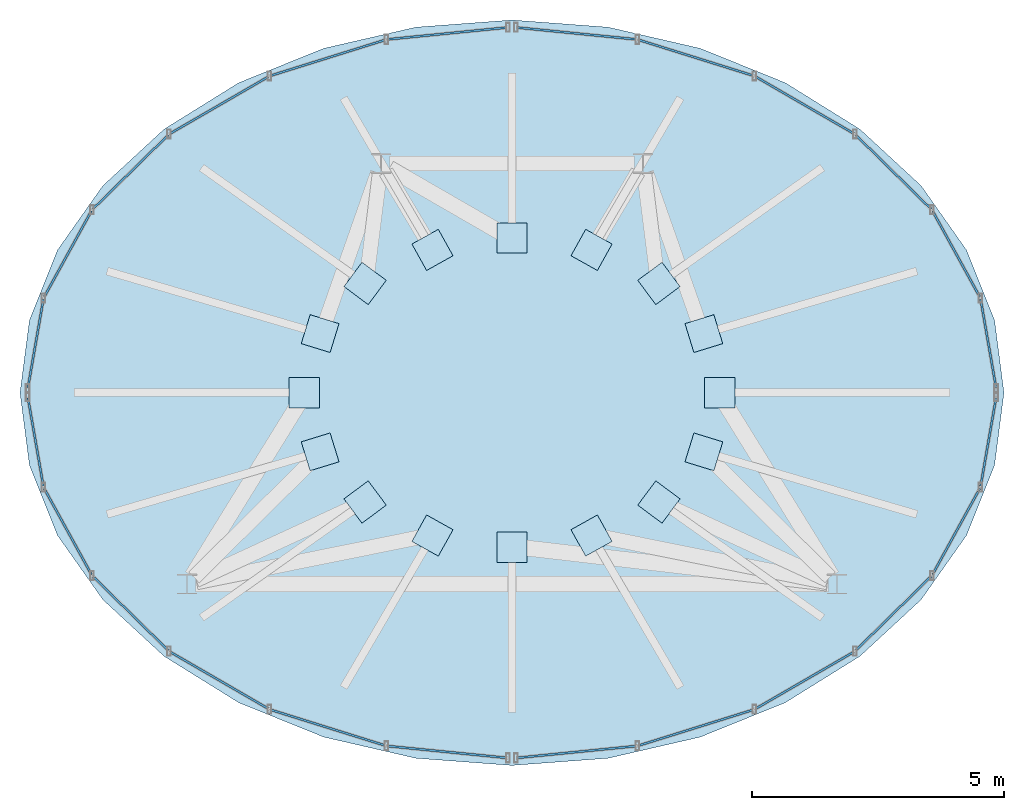
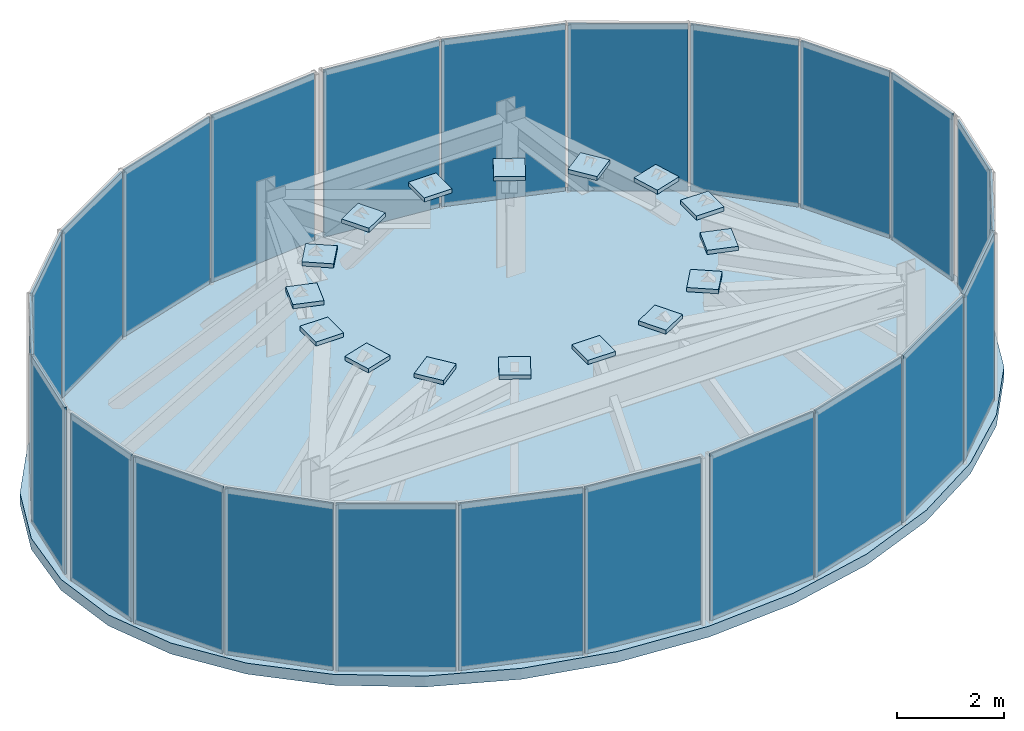
# One storey, part 8 of 8: 40 plates, 1 slab, 4 elements without a shape of their own.
"""IFC4 building model written with IfcOpenShell, lengths in metres."""

from ifc_helpers import new_model, si_unit, direction, frame, origin, origin_2d, place, context, subcontext, project, spatial, polyline, rectangle, outline, extrude, material, layer, layer_set, type_object, element, aggregate, save


model = new_model("IFC4")

# Units and contexts
model_context = context("Model", 3, precision=1e-05, world=origin(), true_north=direction((0.0, 1.0)))
body_context = subcontext(model_context, "Body", "Model", "MODEL_VIEW")
ifc_project = project(units=[si_unit("LENGTHUNIT", "METRE"), si_unit("AREAUNIT", "SQUARE_METRE"), si_unit("VOLUMEUNIT", "CUBIC_METRE"), si_unit("PLANEANGLEUNIT", "RADIAN"), si_unit("MASSUNIT", "GRAM", prefix="KILO")], contexts=[model_context])

# Site, building, storey
site_placement = place(None, origin())
site = spatial("IfcSite", under=ifc_project, at=site_placement, CompositionType="ELEMENT")
building_placement = place(site_placement, origin())
building = spatial("IfcBuilding", under=site, at=building_placement, Name="Vorneva Point Tower", CompositionType="ELEMENT")
storey_placement = place(building_placement, frame((0.0, 0.0, 310.60009765625)))
storey = spatial("IfcBuildingStorey", under=building, at=storey_placement, Name="C05", CompositionType="ELEMENT", Elevation=310.60009765625)

# Curtain wall, plates
ifc_material_1 = material(Name="Pale anodised aluminium", Category="aluminium")
curtain_wall_type = type_object("IfcCurtainWallType", Name="CW-CRN-SYS", PredefinedType="NOTDEFINED", material=ifc_material_1)
curtain_wall_1_placement = place(storey_placement, origin())
curtain_wall_1 = element("IfcCurtainWall", 1, at=curtain_wall_1_placement, inside=storey, type_object=curtain_wall_type, Name="C05 Unitised Curtain Wall CW-C05-Q1", PredefinedType="NOTDEFINED")
ifc_material_2 = material(Name="Triple-laminated clear crown glass", Category="glass")
ifc_layer_1 = layer(ifc_material_2, 0.0419921875)
ifc_layer_set_1 = layer_set([ifc_layer_1], Name="Triple-laminated clear crown glass")
plate_type_1 = type_object("IfcPlateType", Name="CW-PNL-CRN", PredefinedType="CURTAIN_PANEL", material=ifc_layer_set_1)
plate_1_placement = place(storey_placement, frame((47.45703125, 26.97900390625, -0.02001953125), z_axis=(0.0, 0.0, 1.0), x_axis=(-0.171997873465, 0.985097320839, 0.0)))
plate_1 = element("IfcPlate", 2, at=plate_1_placement, type_object=plate_type_1, Name="CW-C05-Q1 Glazed Panel 01", PredefinedType="CURTAIN_PANEL", context=body_context, shape_type="SweptSolid", body=[
    extrude(rectangle(XDim=1.77734375, YDim=0.0419921875, at=origin_2d()), origin(), (0.0, 0.0, 1.0), 3.840087890625),
])
plate_2_placement = place(storey_placement, frame((46.819091796875, 28.75439453125, -0.02001953125), z_axis=(0.0, 0.0, 1.0), x_axis=(-0.481432458577, 0.876483193124, 0.0)))
plate_2 = element("IfcPlate", 3, at=plate_2_placement, type_object=plate_type_1, Name="CW-C05-Q1 Glazed Panel 02", PredefinedType="CURTAIN_PANEL", context=body_context, shape_type="SweptSolid", body=[
    extrude(rectangle(XDim=1.94775390625, YDim=0.0419921875, at=origin_2d()), origin(), (0.0, 0.0, 1.0), 3.840087890625),
])
plate_3_placement = place(storey_placement, frame((45.572998046875, 30.3818359375, -0.02001953125), z_axis=(0.0, 0.0, 1.0), x_axis=(-0.713250449154, 0.7009092643, 0.0)))
plate_3 = element("IfcPlate", 4, at=plate_3_placement, type_object=plate_type_1, Name="CW-C05-Q1 Glazed Panel 03", PredefinedType="CURTAIN_PANEL", context=body_context, shape_type="SweptSolid", body=[
    extrude(rectangle(XDim=2.09521484375, YDim=0.0419921875, at=origin_2d()), origin(), (0.0, 0.0, 1.0), 3.840087890625),
])
plate_4_placement = place(storey_placement, frame((43.81103515625, 31.71044921875, -0.02001953125), z_axis=(0.0, 0.0, 1.0), x_axis=(-0.865562521083, 0.500800880687, 0.0)))
plate_4 = element("IfcPlate", 5, at=plate_4_placement, type_object=plate_type_1, Name="CW-C05-Q1 Glazed Panel 04", PredefinedType="CURTAIN_PANEL", context=body_context, shape_type="SweptSolid", body=[
    extrude(rectangle(XDim=2.253662109375, YDim=0.0419921875, at=origin_2d()), origin(), (0.0, 0.0, 1.0), 3.840087890625),
])
plate_5_placement = place(storey_placement, frame((41.653076171875, 32.64990234375, -0.02001953125), z_axis=(0.0, 0.0, 1.0), x_axis=(-0.954521743973, 0.298141309254, 0.0)))
plate_5 = element("IfcPlate", 6, at=plate_5_placement, type_object=plate_type_1, Name="CW-C05-Q1 Glazed Panel 05", PredefinedType="CURTAIN_PANEL", context=body_context, shape_type="SweptSolid", body=[
    extrude(rectangle(XDim=2.3828125, YDim=0.0419921875, at=origin_2d()), origin(), (0.0, 0.0, 1.0), 3.840087890625),
])
plate_6_placement = place(storey_placement, frame((39.285888671875, 33.13232421875, -0.02001953125), z_axis=(0.0, 0.0, 1.0), x_axis=(-0.995107437258, 0.098798726275, 0.0)))
plate_6 = element("IfcPlate", 7, at=plate_6_placement, type_object=plate_type_1, Name="CW-C05-Q1 Glazed Panel 06", PredefinedType="CURTAIN_PANEL", context=body_context, shape_type="SweptSolid", body=[
    extrude(rectangle(XDim=2.374267578125, YDim=0.0419921875, at=origin_2d()), origin(), (0.0, 0.0, 1.0), 3.840087890625),
])
aggregate(curtain_wall_1, [plate_1, plate_2, plate_3, plate_4, plate_5, plate_6])

curtain_wall_2_placement = place(storey_placement, origin())
curtain_wall_2 = element("IfcCurtainWall", 8, at=curtain_wall_2_placement, inside=storey, type_object=curtain_wall_type, Name="C05 Unitised Curtain Wall CW-C05-Q2", PredefinedType="NOTDEFINED")
plate_7_placement = place(storey_placement, frame((36.714111328125, 33.13232421875, -0.02001953125), z_axis=(0.0, 0.0, 1.0), x_axis=(-0.995107437258, -0.098798726275, 0.0)))
plate_7 = element("IfcPlate", 9, at=plate_7_placement, type_object=plate_type_1, Name="CW-C05-Q2 Glazed Panel 01", PredefinedType="CURTAIN_PANEL", context=body_context, shape_type="SweptSolid", body=[
    extrude(rectangle(XDim=2.374267578125, YDim=0.0419921875, at=origin_2d()), origin(), (0.0, 0.0, 1.0), 3.840087890625),
])
plate_8_placement = place(storey_placement, frame((34.346923828125, 32.64990234375, -0.02001953125), z_axis=(0.0, 0.0, 1.0), x_axis=(-0.954521743973, -0.298141309254, 0.0)))
plate_8 = element("IfcPlate", 10, at=plate_8_placement, type_object=plate_type_1, Name="CW-C05-Q2 Glazed Panel 02", PredefinedType="CURTAIN_PANEL", context=body_context, shape_type="SweptSolid", body=[
    extrude(rectangle(XDim=2.3828125, YDim=0.0419921875, at=origin_2d()), origin(), (0.0, 0.0, 1.0), 3.840087890625),
])
plate_9_placement = place(storey_placement, frame((32.18896484375, 31.71044921875, -0.02001953125), z_axis=(0.0, 0.0, 1.0), x_axis=(-0.865562521083, -0.500800880687, 0.0)))
plate_9 = element("IfcPlate", 11, at=plate_9_placement, type_object=plate_type_1, Name="CW-C05-Q2 Glazed Panel 03", PredefinedType="CURTAIN_PANEL", context=body_context, shape_type="SweptSolid", body=[
    extrude(rectangle(XDim=2.253662109375, YDim=0.0419921875, at=origin_2d()), origin(), (0.0, 0.0, 1.0), 3.840087890625),
])
plate_10_placement = place(storey_placement, frame((30.427001953125, 30.3818359375, -0.02001953125), z_axis=(0.0, 0.0, 1.0), x_axis=(-0.713250449154, -0.7009092643, 0.0)))
plate_10 = element("IfcPlate", 12, at=plate_10_placement, type_object=plate_type_1, Name="CW-C05-Q2 Glazed Panel 04", PredefinedType="CURTAIN_PANEL", context=body_context, shape_type="SweptSolid", body=[
    extrude(rectangle(XDim=2.09521484375, YDim=0.0419921875, at=origin_2d()), origin(), (0.0, 0.0, 1.0), 3.840087890625),
])
plate_11_placement = place(storey_placement, frame((29.180908203125, 28.75439453125, -0.02001953125), z_axis=(0.0, 0.0, 1.0), x_axis=(-0.481432458577, -0.876483193124, 0.0)))
plate_11 = element("IfcPlate", 13, at=plate_11_placement, type_object=plate_type_1, Name="CW-C05-Q2 Glazed Panel 05", PredefinedType="CURTAIN_PANEL", context=body_context, shape_type="SweptSolid", body=[
    extrude(rectangle(XDim=1.94775390625, YDim=0.0419921875, at=origin_2d()), origin(), (0.0, 0.0, 1.0), 3.840087890625),
])
plate_12_placement = place(storey_placement, frame((28.54296875, 26.97900390625, -0.02001953125), z_axis=(0.0, 0.0, 1.0), x_axis=(-0.171997873465, -0.985097320839, 0.0)))
plate_12 = element("IfcPlate", 14, at=plate_12_placement, type_object=plate_type_1, Name="CW-C05-Q2 Glazed Panel 06", PredefinedType="CURTAIN_PANEL", context=body_context, shape_type="SweptSolid", body=[
    extrude(rectangle(XDim=1.77734375, YDim=0.0419921875, at=origin_2d()), origin(), (0.0, 0.0, 1.0), 3.840087890625),
])
aggregate(curtain_wall_2, [plate_7, plate_8, plate_9, plate_10, plate_11, plate_12])

curtain_wall_3_placement = place(storey_placement, origin())
curtain_wall_3 = element("IfcCurtainWall", 15, at=curtain_wall_3_placement, inside=storey, type_object=curtain_wall_type, Name="C05 Unitised Curtain Wall CW-C05-Q3", PredefinedType="NOTDEFINED")
plate_13_placement = place(storey_placement, frame((28.54296875, 25.02099609375, -0.02001953125), z_axis=(0.0, 0.0, 1.0), x_axis=(0.171997873465, -0.985097320839, 0.0)))
plate_13 = element("IfcPlate", 16, at=plate_13_placement, type_object=plate_type_1, Name="CW-C05-Q3 Glazed Panel 01", PredefinedType="CURTAIN_PANEL", context=body_context, shape_type="SweptSolid", body=[
    extrude(rectangle(XDim=1.77734375, YDim=0.0419921875, at=origin_2d()), origin(), (0.0, 0.0, 1.0), 3.840087890625),
])
plate_14_placement = place(storey_placement, frame((29.180908203125, 23.24560546875, -0.02001953125), z_axis=(0.0, 0.0, 1.0), x_axis=(0.481432458577, -0.876483193124, 0.0)))
plate_14 = element("IfcPlate", 17, at=plate_14_placement, type_object=plate_type_1, Name="CW-C05-Q3 Glazed Panel 02", PredefinedType="CURTAIN_PANEL", context=body_context, shape_type="SweptSolid", body=[
    extrude(rectangle(XDim=1.94775390625, YDim=0.0419921875, at=origin_2d()), origin(), (0.0, 0.0, 1.0), 3.840087890625),
])
plate_15_placement = place(storey_placement, frame((30.427001953125, 21.6181640625, -0.02001953125), z_axis=(0.0, 0.0, 1.0), x_axis=(0.713250449154, -0.7009092643, 0.0)))
plate_15 = element("IfcPlate", 18, at=plate_15_placement, type_object=plate_type_1, Name="CW-C05-Q3 Glazed Panel 03", PredefinedType="CURTAIN_PANEL", context=body_context, shape_type="SweptSolid", body=[
    extrude(rectangle(XDim=2.09521484375, YDim=0.0419921875, at=origin_2d()), origin(), (0.0, 0.0, 1.0), 3.840087890625),
])
plate_16_placement = place(storey_placement, frame((32.18896484375, 20.28955078125, -0.02001953125), z_axis=(0.0, 0.0, 1.0), x_axis=(0.865562521083, -0.500800880687, 0.0)))
plate_16 = element("IfcPlate", 19, at=plate_16_placement, type_object=plate_type_1, Name="CW-C05-Q3 Glazed Panel 04", PredefinedType="CURTAIN_PANEL", context=body_context, shape_type="SweptSolid", body=[
    extrude(rectangle(XDim=2.253662109375, YDim=0.0419921875, at=origin_2d()), origin(), (0.0, 0.0, 1.0), 3.840087890625),
])
plate_17_placement = place(storey_placement, frame((34.346923828125, 19.35009765625, -0.02001953125), z_axis=(0.0, 0.0, 1.0), x_axis=(0.954521743973, -0.298141309254, 0.0)))
plate_17 = element("IfcPlate", 20, at=plate_17_placement, type_object=plate_type_1, Name="CW-C05-Q3 Glazed Panel 05", PredefinedType="CURTAIN_PANEL", context=body_context, shape_type="SweptSolid", body=[
    extrude(rectangle(XDim=2.3828125, YDim=0.0419921875, at=origin_2d()), origin(), (0.0, 0.0, 1.0), 3.840087890625),
])
plate_18_placement = place(storey_placement, frame((36.714111328125, 18.86767578125, -0.02001953125), z_axis=(0.0, 0.0, 1.0), x_axis=(0.995107437258, -0.098798726275, 0.0)))
plate_18 = element("IfcPlate", 21, at=plate_18_placement, type_object=plate_type_1, Name="CW-C05-Q3 Glazed Panel 06", PredefinedType="CURTAIN_PANEL", context=body_context, shape_type="SweptSolid", body=[
    extrude(rectangle(XDim=2.374267578125, YDim=0.0419921875, at=origin_2d()), origin(), (0.0, 0.0, 1.0), 3.840087890625),
])
aggregate(curtain_wall_3, [plate_13, plate_14, plate_15, plate_16, plate_17, plate_18])

curtain_wall_4_placement = place(storey_placement, origin())
curtain_wall_4 = element("IfcCurtainWall", 22, at=curtain_wall_4_placement, inside=storey, type_object=curtain_wall_type, Name="C05 Unitised Curtain Wall CW-C05-Q4", PredefinedType="NOTDEFINED")
plate_19_placement = place(storey_placement, frame((39.285888671875, 18.86767578125, -0.02001953125), z_axis=(0.0, 0.0, 1.0), x_axis=(0.995107437258, 0.098798726275, 0.0)))
plate_19 = element("IfcPlate", 23, at=plate_19_placement, type_object=plate_type_1, Name="CW-C05-Q4 Glazed Panel 01", PredefinedType="CURTAIN_PANEL", context=body_context, shape_type="SweptSolid", body=[
    extrude(rectangle(XDim=2.374267578125, YDim=0.0419921875, at=origin_2d()), origin(), (0.0, 0.0, 1.0), 3.840087890625),
])
plate_20_placement = place(storey_placement, frame((41.653076171875, 19.35009765625, -0.02001953125), z_axis=(0.0, 0.0, 1.0), x_axis=(0.954521743973, 0.298141309254, 0.0)))
plate_20 = element("IfcPlate", 24, at=plate_20_placement, type_object=plate_type_1, Name="CW-C05-Q4 Glazed Panel 02", PredefinedType="CURTAIN_PANEL", context=body_context, shape_type="SweptSolid", body=[
    extrude(rectangle(XDim=2.3828125, YDim=0.0419921875, at=origin_2d()), origin(), (0.0, 0.0, 1.0), 3.840087890625),
])
plate_21_placement = place(storey_placement, frame((43.81103515625, 20.28955078125, -0.02001953125), z_axis=(0.0, 0.0, 1.0), x_axis=(0.865562521083, 0.500800880687, 0.0)))
plate_21 = element("IfcPlate", 25, at=plate_21_placement, type_object=plate_type_1, Name="CW-C05-Q4 Glazed Panel 03", PredefinedType="CURTAIN_PANEL", context=body_context, shape_type="SweptSolid", body=[
    extrude(rectangle(XDim=2.253662109375, YDim=0.0419921875, at=origin_2d()), origin(), (0.0, 0.0, 1.0), 3.840087890625),
])
plate_22_placement = place(storey_placement, frame((45.572998046875, 21.6181640625, -0.02001953125), z_axis=(0.0, 0.0, 1.0), x_axis=(0.713250449154, 0.7009092643, 0.0)))
plate_22 = element("IfcPlate", 26, at=plate_22_placement, type_object=plate_type_1, Name="CW-C05-Q4 Glazed Panel 04", PredefinedType="CURTAIN_PANEL", context=body_context, shape_type="SweptSolid", body=[
    extrude(rectangle(XDim=2.09521484375, YDim=0.0419921875, at=origin_2d()), origin(), (0.0, 0.0, 1.0), 3.840087890625),
])
plate_23_placement = place(storey_placement, frame((46.819091796875, 23.24560546875, -0.02001953125), z_axis=(0.0, 0.0, 1.0), x_axis=(0.481432458577, 0.876483193124, 0.0)))
plate_23 = element("IfcPlate", 27, at=plate_23_placement, type_object=plate_type_1, Name="CW-C05-Q4 Glazed Panel 05", PredefinedType="CURTAIN_PANEL", context=body_context, shape_type="SweptSolid", body=[
    extrude(rectangle(XDim=1.94775390625, YDim=0.0419921875, at=origin_2d()), origin(), (0.0, 0.0, 1.0), 3.840087890625),
])
plate_24_placement = place(storey_placement, frame((47.45703125, 25.02099609375, -0.02001953125), z_axis=(0.0, 0.0, 1.0), x_axis=(0.171997873465, 0.985097320839, 0.0)))
plate_24 = element("IfcPlate", 28, at=plate_24_placement, type_object=plate_type_1, Name="CW-C05-Q4 Glazed Panel 06", PredefinedType="CURTAIN_PANEL", context=body_context, shape_type="SweptSolid", body=[
    extrude(rectangle(XDim=1.77734375, YDim=0.0419921875, at=origin_2d()), origin(), (0.0, 0.0, 1.0), 3.840087890625),
])
aggregate(curtain_wall_4, [plate_19, plate_20, plate_21, plate_22, plate_23, plate_24])

# Plates
ifc_material_3 = material(Name="Steel S355", Category="steel")
ifc_layer_2 = layer(ifc_material_3, 0.02392578125)
ifc_layer_set_2 = layer_set([ifc_layer_2], Name="Steel S355")
plate_type_2 = type_object("IfcPlateType", Name="PLT-CAP-EXT", PredefinedType="USERDEFINED", material=ifc_layer_set_2)
for number, where, z_axis, x_axis, name in (
    (29, (42.123046875, 26.0, 3.65283203125), (0.0, 0.0, 1.0), (-1.0, 0.0, 0.0), "Crown Glass-Point Apex Rafter 01 end closure plate 1"),
    (30, (41.8095703125, 27.173828125, 3.65234375), (0.0, 0.0, 1.0), (-0.955659485127, -0.294474020055, 0.0), "Crown Glass-Point Apex Rafter 02 end closure plate 1"),
    (31, (40.91650390625, 28.169677734375, 3.6513671875), (0.0, 0.0, 1.0), (-0.802338536497, -0.596869225921, 0.0), "Crown Glass-Point Apex Rafter 03 end closure plate 1"),
    (32, (39.5791015625, 28.835693359375, 3.64990234375), (0.0, 0.0, 1.0), (-0.486487875037, -0.873687328191, 0.0), "Crown Glass-Point Apex Rafter 04 end closure plate 1"),
    (33, (38.0, 29.06982421875, 3.6494140625), (0.0, 0.0, 1.0), (0.0, -1.0, 0.0), "Crown Glass-Point Apex Rafter 05 end closure plate 1"),
    (34, (36.4208984375, 28.835693359375, 3.64990234375), (0.0, 0.0, 1.0), (0.486487875037, -0.873687328191, 0.0), "Crown Glass-Point Apex Rafter 06 end closure plate 1"),
    (35, (35.08349609375, 28.169677734375, 3.6513671875), (0.0, 0.0, 1.0), (0.802338536497, -0.596869225921, 0.0), "Crown Glass-Point Apex Rafter 07 end closure plate 1"),
    (36, (34.1904296875, 27.173828125, 3.65234375), (0.0, 0.0, 1.0), (0.955659485127, -0.294474020055, 0.0), "Crown Glass-Point Apex Rafter 08 end closure plate 1"),
    (37, (33.876953125, 26.0, 3.65283203125), (0.0, 0.0, 1.0), (1.0, 0.0, 0.0), "Crown Glass-Point Apex Rafter 09 end closure plate 1"),
    (38, (34.1904296875, 24.826171875, 3.65234375), (0.0, 0.0, 1.0), (0.955659485127, 0.294474020055, 0.0), "Crown Glass-Point Apex Rafter 10 end closure plate 1"),
    (39, (35.08349609375, 23.830322265625, 3.6513671875), (0.0, 0.0, 1.0), (0.802338536497, 0.596869225921, 0.0), "Crown Glass-Point Apex Rafter 11 end closure plate 1"),
    (40, (36.4208984375, 23.164306640625, 3.64990234375), (0.0, 0.0, 1.0), (0.486487875037, 0.873687328191, 0.0), "Crown Glass-Point Apex Rafter 12 end closure plate 1"),
    (41, (38.0, 22.93017578125, 3.6494140625), (0.0, 0.0, 1.0), (0.0, 1.0, 0.0), "Crown Glass-Point Apex Rafter 13 end closure plate 1"),
    (42, (39.5791015625, 23.164306640625, 3.64990234375), (0.0, 0.0, 1.0), (-0.486487875037, 0.873687328191, 0.0), "Crown Glass-Point Apex Rafter 14 end closure plate 1"),
    (43, (40.91650390625, 23.830322265625, 3.6513671875), (0.0, 0.0, 1.0), (-0.802338536497, 0.596869225921, 0.0), "Crown Glass-Point Apex Rafter 15 end closure plate 1"),
    (44, (41.8095703125, 24.826171875, 3.65234375), (0.0, 0.0, 1.0), (-0.955659485127, 0.294474020055, 0.0), "Crown Glass-Point Apex Rafter 16 end closure plate 1"),
):
    element("IfcPlate", number, at=place(storey_placement, frame(where, z_axis=z_axis, x_axis=x_axis)), inside=storey, type_object=plate_type_2, Name=name, ObjectType="BASE PLATE", PredefinedType="USERDEFINED", context=body_context, shape_type="SweptSolid", body=[
        extrude(rectangle(XDim=0.60009765625, YDim=0.60009765625, at=origin_2d()), origin(), (0.0, 0.0, 1.0), 0.095947265625),
    ])

# Slab
ifc_material_4 = material(Name="Concrete B50 (C40/50)", Category="concrete")
ifc_layer_3 = layer(ifc_material_4, 0.25)
ifc_layer_set_3 = layer_set([ifc_layer_3], Name="Concrete B50 (C40/50)")
slab_type = type_object("IfcSlabType", Name="SLB-ROOF-250", PredefinedType="ROOF", material=ifc_layer_set_3)
slab_placement = place(storey_placement, frame((0.0, 0.0, -0.25)))
element("IfcSlab", 45, at=slab_placement, inside=storey, type_object=slab_type, Name="C05 Crown Structural Roof Ring Slab", PredefinedType="ROOF", context=body_context, shape_type="SweptSolid", body=[
    extrude(outline(polyline([(47.76806640625, 26.0), (47.580322265625, 27.443603515625), (47.0244140625, 28.831787109375), (46.121826171875, 30.111083984375), (44.906982421875, 31.232666015625), (43.4267578125, 32.15283203125), (41.738037109375, 32.836669921875), (39.905517578125, 33.2578125), (38.0, 33.39990234375), (36.094482421875, 33.2578125), (34.261962890625, 32.836669921875), (32.5732421875, 32.15283203125), (31.093017578125, 31.232666015625), (29.878173828125, 30.111083984375), (28.9755859375, 28.831787109375), (28.419677734375, 27.443603515625), (28.23193359375, 26.0), (28.419677734375, 24.556396484375), (28.9755859375, 23.168212890625), (29.878173828125, 21.888916015625), (31.093017578125, 20.767333984375), (32.5732421875, 19.84716796875), (34.261962890625, 19.163330078125), (36.094482421875, 18.7421875), (38.0, 18.60009765625), (39.905517578125, 18.7421875), (41.738037109375, 19.163330078125), (43.4267578125, 19.84716796875), (44.906982421875, 20.767333984375), (46.121826171875, 21.888916015625), (47.0244140625, 23.168212890625), (47.580322265625, 24.556396484375), (47.76806640625, 26.0)])), origin(), (0.0, 0.0, 1.0), 0.25),
])

save(model, "model.ifc")
